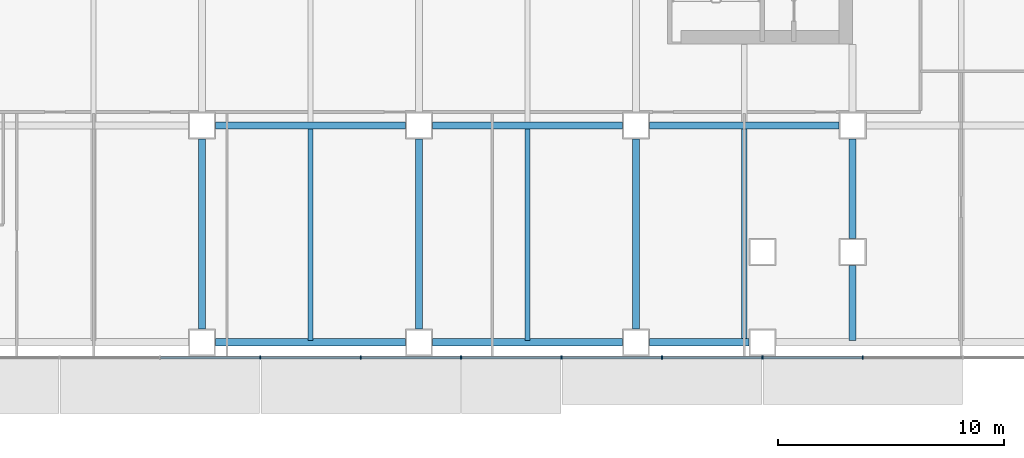
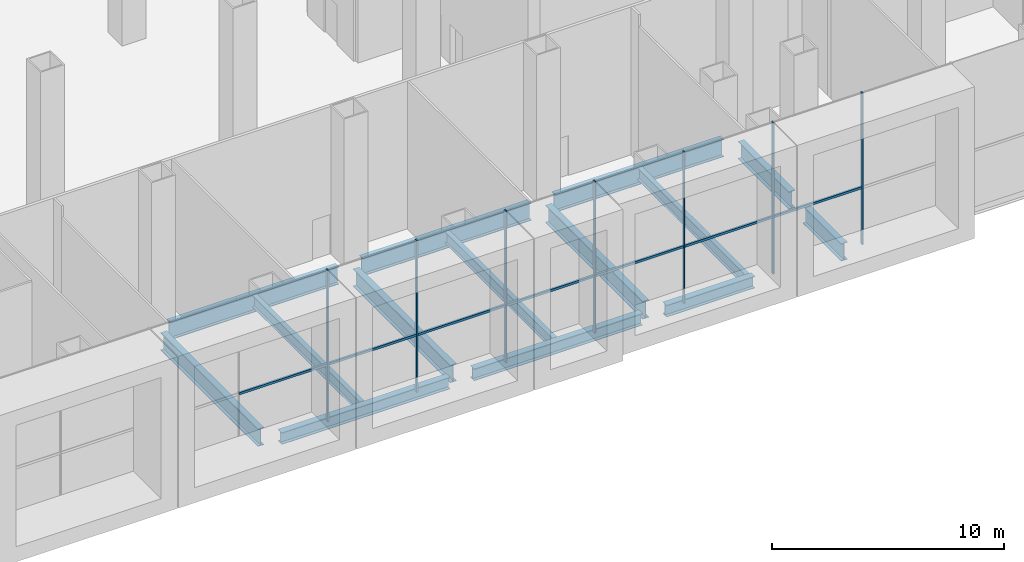
# One storey, part 5 of 24: 14 beams, 14 members, 1 element without a shape of its own.
"""IFC4 building model written with IfcOpenShell, lengths in metres."""

import ifcopenshell
import ifcopenshell.guid

model = None  # the IFC model being written
_history = None  # IfcOwnerHistory: only IFC2X3 demands one
_inside = {}  # id of a spatial element -> (the spatial element, [elements in it])
_under = {}  # id of a project, library or spatial element -> (it, [spatial elements below it])
_declared = {}  # id of a project -> (the project, [libraries it declares])
_typed = {}  # id of a type object -> (the type object, [elements of that type])
_made_of = {}  # id of a material, layer set ... -> (it, [elements and type objects made of it])


def new_model(schema):
    """Start an empty IFC model of exactly this schema.

    Asked for "IFC4X3", IfcOpenShell would pick the latest addendum, in which some entities
    have other attributes; the version numbers below select the first issue.
    IFC2X3 requires an IfcOwnerHistory on every rooted entity: one is made here for all.
    """
    global model, _history
    if schema == "IFC4X3":
        model = ifcopenshell.file(schema_version=(4, 3, 0, 0))
    else:
        model = ifcopenshell.file(schema=schema)
    _inside.clear()
    _under.clear()
    _declared.clear()
    _typed.clear()
    _made_of.clear()
    _history = None
    if model.schema == "IFC2X3":
        org = make("IfcOrganization", Name="unknown")
        user = make(
            "IfcPersonAndOrganization",
            ThePerson=make("IfcPerson", FamilyName="unknown"),
            TheOrganization=org,
        )
        app = make(
            "IfcApplication",
            ApplicationDeveloper=org,
            Version="unknown",
            ApplicationFullName="unknown",
            ApplicationIdentifier="unknown",
        )
        _history = make(
            "IfcOwnerHistory",
            OwningUser=user,
            OwningApplication=app,
            ChangeAction="ADDED",
            CreationDate=0,
        )
    return model


def make(cls, **values):
    """One entity of the class cls with the attributes given. An attribute that is None is left unset."""
    return model.create_entity(
        cls, **{name: value for name, value in values.items() if value is not None}
    )


def rooted(cls, **values):
    """An entity with a GlobalId (a new one), such as an element, a storey or a relation."""
    return make(cls, GlobalId=ifcopenshell.guid.new(), OwnerHistory=_history, **values)


def si_unit(unit_type, name, prefix=None):
    """IfcSIUnit, for example si_unit("LENGTHUNIT", "METRE", prefix="MILLI")."""
    return make("IfcSIUnit", UnitType=unit_type, Prefix=prefix, Name=name)


def assignment(units):
    """IfcUnitAssignment: the units of a project."""
    return None if units is None else make("IfcUnitAssignment", Units=units)


def point(xyz):
    """IfcCartesianPoint."""
    return None if xyz is None else make("IfcCartesianPoint", Coordinates=xyz)


def direction(xyz):
    """IfcDirection."""
    return None if xyz is None else make("IfcDirection", DirectionRatios=xyz)


def frame(location, z_axis=None, x_axis=None):
    """IfcAxis2Placement3D, a coordinate frame: its origin and axes. An axis left out is left unset."""
    return make(
        "IfcAxis2Placement3D",
        Location=point(location),
        Axis=direction(z_axis),
        RefDirection=direction(x_axis),
    )


def frame_2d(location, x_axis=None):
    """IfcAxis2Placement2D, a coordinate frame in the plane: its origin and x axis."""
    return make(
        "IfcAxis2Placement2D", Location=point(location), RefDirection=direction(x_axis)
    )


def origin():
    """The frame at (0, 0, 0) with its axes left unset."""
    return frame((0.0, 0.0, 0.0))


def origin_2d():
    """The frame at (0, 0) in the plane with its x axis left unset."""
    return frame_2d((0.0, 0.0))


def place(relative_to, where):
    """IfcLocalPlacement: puts the frame where relative to a parent placement (None: the world)."""
    return make(
        "IfcLocalPlacement", PlacementRelTo=relative_to, RelativePlacement=where
    )


def context(
    kind, dimensions, precision=None, world=None, true_north=None, identifier=None
):
    """IfcGeometricRepresentationContext, for example the 3D "Model" context."""
    return make(
        "IfcGeometricRepresentationContext",
        ContextIdentifier=identifier,
        ContextType=kind,
        CoordinateSpaceDimension=dimensions,
        Precision=precision,
        WorldCoordinateSystem=world,
        TrueNorth=true_north,
    )


def subcontext(parent, identifier, kind, view, scale=None):
    """IfcGeometricRepresentationSubContext, for example "Body" below "Model"."""
    return make(
        "IfcGeometricRepresentationSubContext",
        ContextIdentifier=identifier,
        ContextType=kind,
        ParentContext=parent,
        TargetScale=scale,
        TargetView=view,
    )


def project(units=None, contexts=None):
    """IfcProject with its units and contexts."""
    return rooted(
        "IfcProject",
        Name="project",
        RepresentationContexts=contexts,
        UnitsInContext=assignment(units),
    )


def spatial(cls, under=None, at=None, **own):
    """A site, building, storey or space (cls), placed at a placement, below another one or the project."""
    s = rooted(cls, ObjectPlacement=at, **own)
    if under is not None:
        _under.setdefault(under.id(), (under, []))[1].append(s)
    return s


def profile(cls, at=None, kind="AREA", **sizes):
    """A parametric profile (cls). Its sizes go by their IFC names, for example OverallWidth=200.0."""
    return make(cls, ProfileType=kind, Position=at, **sizes)


def rectangle(**sizes):
    """IfcRectangleProfileDef."""
    return profile("IfcRectangleProfileDef", **sizes)


def i_section(**sizes):
    """IfcIShapeProfileDef."""
    return profile("IfcIShapeProfileDef", **sizes)


def extrude(swept, where, along, depth):
    """IfcExtrudedAreaSolid: the profile swept, set in the frame where, extruded along a direction by depth."""
    return make(
        "IfcExtrudedAreaSolid",
        SweptArea=swept,
        Position=where,
        ExtrudedDirection=direction(along),
        Depth=depth,
    )


def shape(context_of_items, identifier, shape_type, items):
    """IfcShapeRepresentation: the items that make up one representation, for example the "Body"."""
    return make(
        "IfcShapeRepresentation",
        ContextOfItems=context_of_items,
        RepresentationIdentifier=identifier,
        RepresentationType=shape_type,
        Items=items,
    )


def material(Name=None, Category=None):
    """IfcMaterial."""
    return make("IfcMaterial", Name=Name, Category=Category)


def material_profile(
    of_material, cross_section, Name=None, Category=None, Priority=None
):
    """IfcMaterialProfile: a cross section and its material."""
    return make(
        "IfcMaterialProfile",
        Name=Name,
        Material=of_material,
        Profile=cross_section,
        Priority=Priority,
        Category=Category,
    )


def profile_set(profiles, Name=None, composite=None):
    """IfcMaterialProfileSet."""
    return make(
        "IfcMaterialProfileSet",
        Name=Name,
        MaterialProfiles=profiles,
        CompositeProfile=composite,
    )


def made_of(thing, what):
    """Note that an element or type object is made of a material, layer set ...; save() writes the relation."""
    if what is not None:
        _made_of.setdefault(what.id(), (what, []))[1].append(thing)
    return thing


def type_object(cls, material=None, **own):
    """A type object (cls), such as IfcWallType, which elements share."""
    return made_of(rooted(cls, **own), material)


def element(
    cls,
    number,
    at=None,
    inside=None,
    cuts=None,
    type_object=None,
    material=None,
    context=None,
    identifier="Body",
    shape_type=None,
    held_by="IfcProductDefinitionShape",
    body=None,
    shapes=None,
    **own,
):
    """One element of the class cls, such as IfcWall. Its Tag is "e" and its number.

    at: its placement. inside: the storey or other place that contains it. cuts: it is an
    opening in that element (IfcRelVoidsElement). A single representation is given by context,
    identifier, shape_type and body (its items); several are given by shapes. held_by: the class
    of the entity that holds the representations. save() writes the other relations.
    """
    e = rooted(cls, Tag="e%d" % number, ObjectPlacement=at, **own)
    if body is not None:
        shapes = [shape(context, identifier, shape_type, body)]
    if shapes is not None:
        e.Representation = make(held_by, Representations=shapes)
    if inside is not None:
        _inside.setdefault(inside.id(), (inside, []))[1].append(e)
    if cuts is not None:
        rooted(
            "IfcRelVoidsElement", RelatingBuildingElement=cuts, RelatedOpeningElement=e
        )
    if type_object is not None:
        _typed.setdefault(type_object.id(), (type_object, []))[1].append(e)
    return made_of(e, material)


def aggregate(whole, parts):
    """IfcRelAggregates: a whole, such as a stair, and the parts it consists of."""
    return rooted("IfcRelAggregates", RelatingObject=whole, RelatedObjects=parts)


def save(model, path):
    """Write the relations noted so far, then the file.

    IfcRelAggregates (storeys below a building ...), IfcRelContainedInSpatialStructure (elements
    in a storey), IfcRelDefinesByType, IfcRelAssociatesMaterial and IfcRelDeclares: one each for
    every whole, place, type object, material and project.
    """
    for whole, parts in _under.values():
        aggregate(whole, parts)
    for where, things in _inside.values():
        rooted(
            "IfcRelContainedInSpatialStructure",
            RelatedElements=things,
            RelatingStructure=where,
        )
    for kind, things in _typed.values():
        rooted("IfcRelDefinesByType", RelatedObjects=things, RelatingType=kind)
    for what, things in _made_of.values():
        rooted("IfcRelAssociatesMaterial", RelatedObjects=things, RelatingMaterial=what)
    for by, libraries in _declared.values():
        rooted("IfcRelDeclares", RelatingContext=by, RelatedDefinitions=libraries)
    model.write(path)


model = new_model("IFC4")

# Units and contexts
model_context = context("Model", 3, precision=1e-05, world=origin(), true_north=direction((0.0, 1.0)))
body_context = subcontext(model_context, "Body", "Model", "MODEL_VIEW")
ifc_project = project(units=[si_unit("LENGTHUNIT", "METRE"), si_unit("AREAUNIT", "SQUARE_METRE"), si_unit("VOLUMEUNIT", "CUBIC_METRE"), si_unit("PLANEANGLEUNIT", "RADIAN"), si_unit("MASSUNIT", "GRAM", prefix="KILO")], contexts=[model_context])

# Site, building, storey
site_placement = place(None, origin())
site = spatial("IfcSite", under=ifc_project, at=site_placement, CompositionType="ELEMENT")
building_placement = place(site_placement, origin())
building = spatial("IfcBuilding", under=site, at=building_placement, Name="Cobrizo Arcos Hotel Tower", CompositionType="ELEMENT")
storey_placement = place(building_placement, frame((0.0, 0.0, 7.5)))
storey = spatial("IfcBuildingStorey", under=building, at=storey_placement, Name="L01", CompositionType="ELEMENT", Elevation=7.5)

# Curtain wall, members
ifc_material_1 = material(Name="Aluminium 6063-T6 anodised bronze", Category="aluminium")
curtain_wall_type = type_object("IfcCurtainWallType", Name="CW-A guest facade", PredefinedType="NOTDEFINED", material=ifc_material_1)
curtain_wall_placement = place(storey_placement, origin())
curtain_wall = element("IfcCurtainWall", 1, at=curtain_wall_placement, inside=storey, type_object=curtain_wall_type, Name="CW-A L01 S face", PredefinedType="NOTDEFINED")
ifc_material_profile_1 = material_profile(ifc_material_1, rectangle(XDim=0.14990234375, YDim=0.06005859375, at=origin_2d()), Name="CW-A mullion 150x60")
ifc_profile_set_1 = profile_set([ifc_material_profile_1], Name="Aluminium 6063-T6 anodised bronze")
member_type_1 = type_object("IfcMemberType", Name="CW-A mullion 150x60", PredefinedType="MULLION", material=ifc_profile_set_1)
member_1_placement = place(storey_placement, frame((-2.22216796875, -24.675048828125, 0.0), z_axis=(0.0, 0.0, 1.0), x_axis=(0.0, -1.0, 0.0)))
member_1 = element("IfcMember", 2, at=member_1_placement, type_object=member_type_1, Name="CW-A mullion 9", PredefinedType="MULLION", context=body_context, shape_type="SweptSolid", body=[
    extrude(rectangle(XDim=0.14990234375, YDim=0.06005859375, at=origin_2d()), origin(), (0.0, 0.0, 1.0), 8.0),
])
member_2_placement = place(storey_placement, frame((2.22216796875, -24.675048828125, 0.0), z_axis=(0.0, 0.0, 1.0), x_axis=(0.0, -1.0, 0.0)))
member_2 = element("IfcMember", 3, at=member_2_placement, type_object=member_type_1, Name="CW-A mullion 10", PredefinedType="MULLION", context=body_context, shape_type="SweptSolid", body=[
    extrude(rectangle(XDim=0.14990234375, YDim=0.06005859375, at=origin_2d()), origin(), (0.0, 0.0, 1.0), 8.0),
])
member_3_placement = place(storey_placement, frame((6.666748046875, -24.675048828125, 0.0), z_axis=(0.0, 0.0, 1.0), x_axis=(0.0, -1.0, 0.0)))
member_3 = element("IfcMember", 4, at=member_3_placement, type_object=member_type_1, Name="CW-A mullion 11", PredefinedType="MULLION", context=body_context, shape_type="SweptSolid", body=[
    extrude(rectangle(XDim=0.14990234375, YDim=0.06005859375, at=origin_2d()), origin(), (0.0, 0.0, 1.0), 8.0),
])
member_4_placement = place(storey_placement, frame((11.111083984375, -24.675048828125, 0.0), z_axis=(0.0, 0.0, 1.0), x_axis=(0.0, -1.0, 0.0)))
member_4 = element("IfcMember", 5, at=member_4_placement, type_object=member_type_1, Name="CW-A mullion 12", PredefinedType="MULLION", context=body_context, shape_type="SweptSolid", body=[
    extrude(rectangle(XDim=0.14990234375, YDim=0.06005859375, at=origin_2d()), origin(), (0.0, 0.0, 1.0), 8.0),
])
member_5_placement = place(storey_placement, frame((15.5556640625, -24.675048828125, 0.0), z_axis=(0.0, 0.0, 1.0), x_axis=(0.0, -1.0, 0.0)))
member_5 = element("IfcMember", 6, at=member_5_placement, type_object=member_type_1, Name="CW-A mullion 13", PredefinedType="MULLION", context=body_context, shape_type="SweptSolid", body=[
    extrude(rectangle(XDim=0.14990234375, YDim=0.06005859375, at=origin_2d()), origin(), (0.0, 0.0, 1.0), 8.0),
])
member_6_placement = place(storey_placement, frame((20.0, -24.675048828125, 0.0), z_axis=(0.0, 0.0, 1.0), x_axis=(0.0, -1.0, 0.0)))
member_6 = element("IfcMember", 7, at=member_6_placement, type_object=member_type_1, Name="CW-A mullion 14", PredefinedType="MULLION", context=body_context, shape_type="SweptSolid", body=[
    extrude(rectangle(XDim=0.14990234375, YDim=0.06005859375, at=origin_2d()), origin(), (0.0, 0.0, 1.0), 8.0),
])
member_7_placement = place(storey_placement, frame((24.4443359375, -24.675048828125, 0.0), z_axis=(0.0, 0.0, 1.0), x_axis=(0.0, -1.0, 0.0)))
member_7 = element("IfcMember", 8, at=member_7_placement, type_object=member_type_1, Name="CW-A mullion 15", PredefinedType="MULLION", context=body_context, shape_type="SweptSolid", body=[
    extrude(rectangle(XDim=0.14990234375, YDim=0.06005859375, at=origin_2d()), origin(), (0.0, 0.0, 1.0), 8.0),
])
ifc_material_profile_2 = material_profile(ifc_material_1, rectangle(XDim=0.10009765625, YDim=0.1201171875, at=origin_2d()), Name="CW-A transom 120x100")
ifc_profile_set_2 = profile_set([ifc_material_profile_2], Name="Aluminium 6063-T6 anodised bronze")
member_type_2 = type_object("IfcMemberType", Name="CW-A transom 120x100", PredefinedType="USERDEFINED", material=ifc_profile_set_2)
member_8_placement = place(storey_placement, frame((-6.63671875, -24.675048828125, 3.0), z_axis=(1.0, 0.0, 0.0), x_axis=(0.0, 1.0, 0.0)))
member_8 = element("IfcMember", 9, at=member_8_placement, type_object=member_type_2, Name="CW-A transom 97", ObjectType="TRANSOM", PredefinedType="USERDEFINED", context=body_context, shape_type="SweptSolid", body=[
    extrude(rectangle(XDim=0.10009765625, YDim=0.1201171875, at=origin_2d()), origin(), (0.0, 0.0, 1.0), 4.384521484375),
])
member_9_placement = place(storey_placement, frame((-2.192138671875, -24.675048828125, 3.0), z_axis=(1.0, 0.0, 0.0), x_axis=(0.0, 1.0, 0.0)))
member_9 = element("IfcMember", 10, at=member_9_placement, type_object=member_type_2, Name="CW-A transom 98", ObjectType="TRANSOM", PredefinedType="USERDEFINED", context=body_context, shape_type="SweptSolid", body=[
    extrude(rectangle(XDim=0.10009765625, YDim=0.1201171875, at=origin_2d()), origin(), (0.0, 0.0, 1.0), 4.38427734375),
])
member_10_placement = place(storey_placement, frame((2.252197265625, -24.675048828125, 3.0), z_axis=(1.0, 0.0, 0.0), x_axis=(0.0, 1.0, 0.0)))
member_10 = element("IfcMember", 11, at=member_10_placement, type_object=member_type_2, Name="CW-A transom 99", ObjectType="TRANSOM", PredefinedType="USERDEFINED", context=body_context, shape_type="SweptSolid", body=[
    extrude(rectangle(XDim=0.10009765625, YDim=0.1201171875, at=origin_2d()), origin(), (0.0, 0.0, 1.0), 4.384521484375),
])
member_11_placement = place(storey_placement, frame((6.69677734375, -24.675048828125, 3.0), z_axis=(1.0, 0.0, 0.0), x_axis=(0.0, 1.0, 0.0)))
member_11 = element("IfcMember", 12, at=member_11_placement, type_object=member_type_2, Name="CW-A transom 100", ObjectType="TRANSOM", PredefinedType="USERDEFINED", context=body_context, shape_type="SweptSolid", body=[
    extrude(rectangle(XDim=0.10009765625, YDim=0.1201171875, at=origin_2d()), origin(), (0.0, 0.0, 1.0), 4.38427734375),
])
member_12_placement = place(storey_placement, frame((11.14111328125, -24.675048828125, 3.0), z_axis=(1.0, 0.0, 0.0), x_axis=(0.0, 1.0, 0.0)))
member_12 = element("IfcMember", 13, at=member_12_placement, type_object=member_type_2, Name="CW-A transom 101", ObjectType="TRANSOM", PredefinedType="USERDEFINED", context=body_context, shape_type="SweptSolid", body=[
    extrude(rectangle(XDim=0.10009765625, YDim=0.1201171875, at=origin_2d()), origin(), (0.0, 0.0, 1.0), 4.384521484375),
])
member_13_placement = place(storey_placement, frame((15.58544921875, -24.675048828125, 3.0), z_axis=(1.0, 0.0, 0.0), x_axis=(0.0, 1.0, 0.0)))
member_13 = element("IfcMember", 14, at=member_13_placement, type_object=member_type_2, Name="CW-A transom 102", ObjectType="TRANSOM", PredefinedType="USERDEFINED", context=body_context, shape_type="SweptSolid", body=[
    extrude(rectangle(XDim=0.10009765625, YDim=0.1201171875, at=origin_2d()), origin(), (0.0, 0.0, 1.0), 4.384521484375),
])
member_14_placement = place(storey_placement, frame((20.030029296875, -24.675048828125, 3.0), z_axis=(1.0, 0.0, 0.0), x_axis=(0.0, 1.0, 0.0)))
member_14 = element("IfcMember", 15, at=member_14_placement, type_object=member_type_2, Name="CW-A transom 103", ObjectType="TRANSOM", PredefinedType="USERDEFINED", context=body_context, shape_type="SweptSolid", body=[
    extrude(rectangle(XDim=0.10009765625, YDim=0.1201171875, at=origin_2d()), origin(), (0.0, 0.0, 1.0), 4.384521484375),
])
aggregate(curtain_wall, [member_1, member_2, member_3, member_4, member_5, member_6, member_7, member_8, member_9, member_10, member_11, member_12, member_13, member_14])

# Beams
ifc_material_2 = material(Name="Steel ASTM A992 Grade 50", Category="steel")
ifc_material_profile_3 = material_profile(ifc_material_2, i_section(OverallWidth=0.32763671875, OverallDepth=0.622314453125, WebThickness=0.015380859375, FlangeThickness=0.0244140625, at=origin_2d()), Name="W24X131")
ifc_profile_set_3 = profile_set([ifc_material_profile_3], Name="Steel ASTM A992 Grade 50")
beam_type_1 = type_object("IfcBeamType", Name="W24X131 spandrel", PredefinedType="SPANDREL", material=ifc_profile_set_3)
beam_1_placement = place(storey_placement, frame((-4.199951171875, -24.0, -0.56103515625), z_axis=(1.0, 0.0, 0.0), x_axis=(0.0, 1.0, 0.0)))
element("IfcBeam", 16, at=beam_1_placement, inside=storey, type_object=beam_type_1, Name="Spandrel beam W24X131, L01, no. 011", PredefinedType="SPANDREL", context=body_context, shape_type="SweptSolid", body=[
    extrude(i_section(OverallWidth=0.32763671875, OverallDepth=0.622314453125, WebThickness=0.015380859375, FlangeThickness=0.0244140625, at=origin_2d()), origin(), (0.0, 0.0, 1.0), 8.39990234375),
])
beam_2_placement = place(storey_placement, frame((5.39990234375, -24.0, -0.56103515625), z_axis=(1.0, 0.0, 0.0), x_axis=(0.0, 1.0, 0.0)))
element("IfcBeam", 17, at=beam_2_placement, inside=storey, type_object=beam_type_1, Name="Spandrel beam W24X131, L01, no. 012", PredefinedType="SPANDREL", context=body_context, shape_type="SweptSolid", body=[
    extrude(i_section(OverallWidth=0.32763671875, OverallDepth=0.622314453125, WebThickness=0.015380859375, FlangeThickness=0.0244140625, at=origin_2d()), origin(), (0.0, 0.0, 1.0), 8.400146484375),
])
beam_3_placement = place(storey_placement, frame((15.0, -24.0, -0.56103515625), z_axis=(1.0, 0.0, 0.0), x_axis=(0.0, 1.0, 0.0)))
element("IfcBeam", 18, at=beam_3_placement, inside=storey, type_object=beam_type_1, Name="Spandrel beam W24X131, L01, no. 013", PredefinedType="SPANDREL", context=body_context, shape_type="SweptSolid", body=[
    extrude(i_section(OverallWidth=0.32763671875, OverallDepth=0.622314453125, WebThickness=0.015380859375, FlangeThickness=0.0244140625, at=origin_2d()), origin(), (0.0, 0.0, 1.0), 4.39990234375),
])
ifc_material_profile_4 = material_profile(ifc_material_2, i_section(OverallWidth=0.23046875, OverallDepth=0.6171875, WebThickness=0.01318359375, FlangeThickness=0.022216796875, at=origin_2d()), Name="W24X94")
ifc_profile_set_4 = profile_set([ifc_material_profile_4], Name="Steel ASTM A992 Grade 50")
beam_type_2 = type_object("IfcBeamType", Name="W24X94 podium joist", PredefinedType="JOIST", material=ifc_profile_set_4)
for number, where, z_axis, x_axis, name in (
    (19, (0.0, -23.909912109375, -0.55859375), (0.0, 1.0, 0.0), (-1.0, 0.0, 0.0), "Podium joist PJ1, L01, no. 015"),
    (20, (9.60009765625, -23.909912109375, -0.55859375), (0.0, 1.0, 0.0), (-1.0, 0.0, 0.0), "Podium joist PJ1, L01, no. 020"),
    (21, (19.199951171875, -23.909912109375, -0.55859375), (0.0, 1.0, 0.0), (-1.0, 0.0, 0.0), "Podium joist PJ1, L01, no. 025"),
):
    element("IfcBeam", number, at=place(storey_placement, frame(where, z_axis=z_axis, x_axis=x_axis)), inside=storey, type_object=beam_type_2, Name=name, PredefinedType="JOIST", context=body_context, shape_type="SweptSolid", body=[
        extrude(i_section(OverallWidth=0.23046875, OverallDepth=0.6171875, WebThickness=0.01318359375, FlangeThickness=0.022216796875, at=origin_2d()), origin(), (0.0, 0.0, 1.0), 9.356201171875),
    ])
ifc_material_profile_5 = material_profile(ifc_material_2, i_section(OverallWidth=0.307373046875, OverallDepth=0.927001953125, WebThickness=0.01953125, FlangeThickness=0.031982421875, at=origin_2d()), Name="W36X194")
ifc_profile_set_5 = profile_set([ifc_material_profile_5], Name="Steel ASTM A992 Grade 50")
beam_type_3 = type_object("IfcBeamType", Name="W36X194 podium girder", PredefinedType="BEAM", material=ifc_profile_set_5)
beam_4_placement = place(storey_placement, frame((-4.199951171875, -14.39990234375, -0.71337890625), z_axis=(1.0, 0.0, 0.0), x_axis=(0.0, 1.0, 0.0)))
element("IfcBeam", 22, at=beam_4_placement, inside=storey, type_object=beam_type_3, Name="Podium girder PG1, L01, no. 005", PredefinedType="BEAM", context=body_context, shape_type="SweptSolid", body=[
    extrude(i_section(OverallWidth=0.307373046875, OverallDepth=0.927001953125, WebThickness=0.01953125, FlangeThickness=0.031982421875, at=origin_2d()), origin(), (0.0, 0.0, 1.0), 8.39990234375),
])
beam_5_placement = place(storey_placement, frame((5.39990234375, -14.39990234375, -0.71337890625), z_axis=(1.0, 0.0, 0.0), x_axis=(0.0, 1.0, 0.0)))
element("IfcBeam", 23, at=beam_5_placement, inside=storey, type_object=beam_type_3, Name="Podium girder PG1, L01, no. 006", PredefinedType="BEAM", context=body_context, shape_type="SweptSolid", body=[
    extrude(i_section(OverallWidth=0.307373046875, OverallDepth=0.927001953125, WebThickness=0.01953125, FlangeThickness=0.031982421875, at=origin_2d()), origin(), (0.0, 0.0, 1.0), 8.400146484375),
])
for number, where, z_axis, x_axis, name in (
    (24, (15.0, -14.39990234375, -0.71337890625), (1.0, 0.0, 0.0), (0.0, 1.0, 0.0), "Podium girder PG1, L01, no. 007"),
    (25, (-4.800048828125, -23.39990234375, -0.71337890625), (0.0, 1.0, 0.0), (-1.0, 0.0, 0.0), "Podium girder PG1, L01, no. 051"),
    (26, (4.800048828125, -23.39990234375, -0.71337890625), (0.0, 1.0, 0.0), (-1.0, 0.0, 0.0), "Podium girder PG1, L01, no. 056"),
    (27, (14.39990234375, -23.39990234375, -0.71337890625), (0.0, 1.0, 0.0), (-1.0, 0.0, 0.0), "Podium girder PG1, L01, no. 061"),
):
    element("IfcBeam", number, at=place(storey_placement, frame(where, z_axis=z_axis, x_axis=x_axis)), inside=storey, type_object=beam_type_3, Name=name, PredefinedType="BEAM", context=body_context, shape_type="SweptSolid", body=[
        extrude(i_section(OverallWidth=0.307373046875, OverallDepth=0.927001953125, WebThickness=0.01953125, FlangeThickness=0.031982421875, at=origin_2d()), origin(), (0.0, 0.0, 1.0), 8.39990234375),
    ])
beam_6_placement = place(storey_placement, frame((24.0, -23.909912109375, -0.71337890625), z_axis=(0.0, 1.0, 0.0), x_axis=(-1.0, 0.0, 0.0)))
element("IfcBeam", 28, at=beam_6_placement, inside=storey, type_object=beam_type_3, Name="Podium girder PG1, L01, no. 066", PredefinedType="BEAM", context=body_context, shape_type="SweptSolid", body=[
    extrude(i_section(OverallWidth=0.307373046875, OverallDepth=0.927001953125, WebThickness=0.01953125, FlangeThickness=0.031982421875, at=origin_2d()), origin(), (0.0, 0.0, 1.0), 3.309814453125),
])
beam_7_placement = place(storey_placement, frame((24.0, -19.39990234375, -0.71337890625), z_axis=(0.0, 1.0, 0.0), x_axis=(-1.0, 0.0, 0.0)))
element("IfcBeam", 29, at=beam_7_placement, inside=storey, type_object=beam_type_3, Name="Podium girder PG1, L01, no. 067", PredefinedType="BEAM", context=body_context, shape_type="SweptSolid", body=[
    extrude(i_section(OverallWidth=0.307373046875, OverallDepth=0.927001953125, WebThickness=0.01953125, FlangeThickness=0.031982421875, at=origin_2d()), origin(), (0.0, 0.0, 1.0), 4.39990234375),
])

save(model, "model.ifc")
